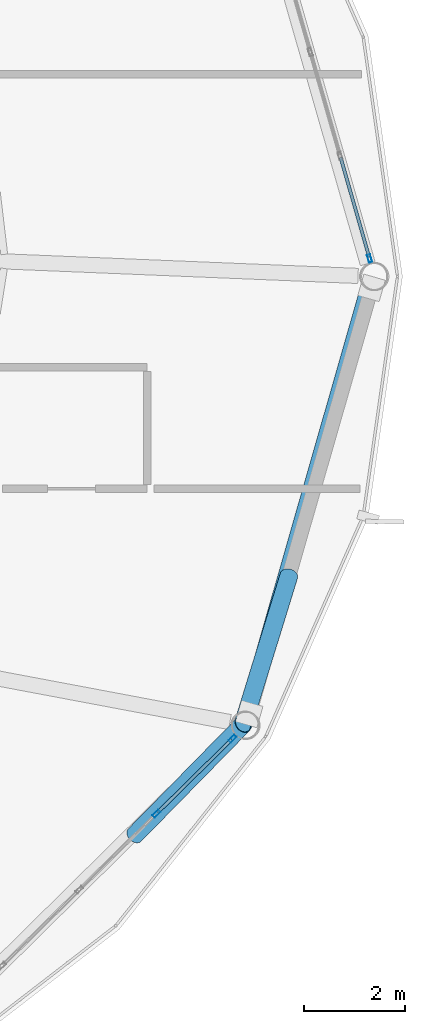
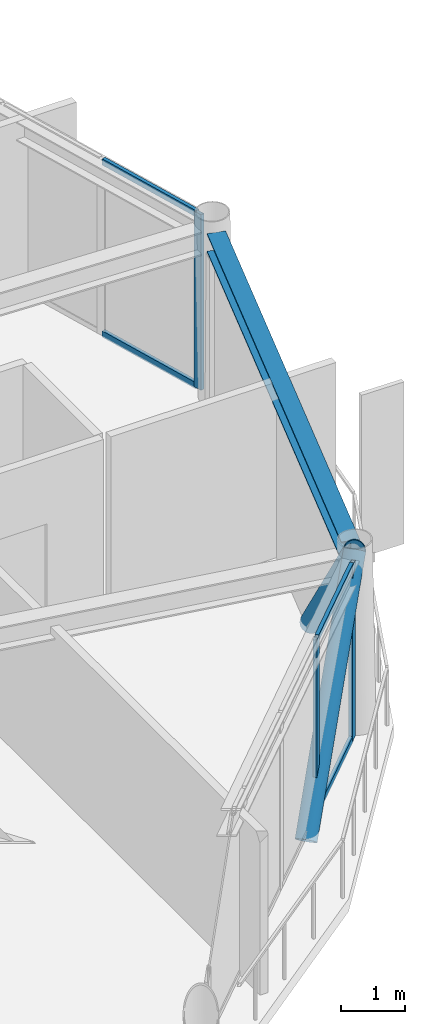
# One storey, part 16 of 26: 9 members, 1 beam, 2 elements without a shape of their own.
"""IFC4 building model written with IfcOpenShell, lengths in metres."""

from ifc_helpers import new_model, si_unit, direction, frame, origin, origin_2d, place, context, subcontext, project, spatial, hollow_rectangle, hollow_circle, i_section, extrude, material, layer, layer_set, material_profile, profile_set, type_object, element, aggregate, save


model = new_model("IFC4")

# Units and contexts
model_context = context("Model", 3, precision=1e-05, world=origin(), true_north=direction((0.0, 1.0)))
body_context = subcontext(model_context, "Body", "Model", "MODEL_VIEW")
ifc_project = project(units=[si_unit("LENGTHUNIT", "METRE"), si_unit("AREAUNIT", "SQUARE_METRE"), si_unit("VOLUMEUNIT", "CUBIC_METRE"), si_unit("PLANEANGLEUNIT", "RADIAN"), si_unit("MASSUNIT", "GRAM", prefix="KILO")], contexts=[model_context])

# Site, building, storey
site_placement = place(None, origin())
site = spatial("IfcSite", under=ifc_project, at=site_placement, CompositionType="ELEMENT")
building_placement = place(site_placement, origin())
building = spatial("IfcBuilding", under=site, at=building_placement, Name="Varnakorn Sky Granary", CompositionType="ELEMENT")
storey_placement = place(building_placement, frame((0.0, 0.0, 267.0)))
storey = spatial("IfcBuildingStorey", under=building, at=storey_placement, Name="L68", CompositionType="ELEMENT", Elevation=267.0)

# Beam
ifc_material_1 = material(Name="Steel S355JR", Category="steel")
ifc_material_profile_1 = material_profile(ifc_material_1, i_section(OverallWidth=0.300048828125, OverallDepth=0.360107421875, WebThickness=0.012451171875, FlangeThickness=0.0224609375, at=origin_2d()), Name="HE 360 B")
ifc_profile_set_1 = profile_set([ifc_material_profile_1], Name="Steel S355JR")
beam_type = type_object("IfcBeamType", Name="BM-SPD-Z5", PredefinedType="SPANDREL", material=ifc_profile_set_1)
beam_placement = place(storey_placement, frame((20.471435546875, -8.61279296875, 3.179931640625), z_axis=(0.275429392242, 0.96132130419, 0.0), x_axis=(-0.96132130419, 0.275429392242, 0.0)))
element("IfcBeam", 1, at=beam_placement, inside=storey, type_object=beam_type, Name="Perimeter Spandrel Ring Beam RB12 L68", PredefinedType="SPANDREL", context=body_context, shape_type="SweptSolid", body=[
    extrude(i_section(OverallWidth=0.300048828125, OverallDepth=0.360107421875, WebThickness=0.012451171875, FlangeThickness=0.0224609375, at=origin_2d()), origin(), (0.0, 0.0, 1.0), 8.694580078125),
])

# Curtain wall, member
ifc_material_2 = material(Name="Anodised Bronze Aluminium Alloy 6063-T6", Category="aluminium")
ifc_layer = layer(ifc_material_2, 0.159912109375, Name="Anodised Bronze Aluminium Alloy 6063-T6")
ifc_layer_set = layer_set([ifc_layer], Name="Anodised Bronze Aluminium Alloy 6063-T6")
curtain_wall_type = type_object("IfcCurtainWallType", Name="CW-OFF-1", PredefinedType="USERDEFINED", material=ifc_layer_set)
curtain_wall_1_placement = place(storey_placement, origin())
curtain_wall_1 = element("IfcCurtainWall", 2, at=curtain_wall_1_placement, inside=storey, type_object=curtain_wall_type, Name="Unitised Curtain Wall CW6 CW-L68-B01", ObjectType="CURTAIN WALL", PredefinedType="USERDEFINED")
ifc_material_profile_2 = material_profile(ifc_material_2, hollow_rectangle(XDim=0.06494140625, YDim=0.159912109375, WallThickness=0.00341796875, at=origin_2d()), Name="ALU MULL 65x160")
ifc_profile_set_2 = profile_set([ifc_material_profile_2], Name="Anodised Bronze Aluminium Alloy 6063-T6")
member_type_1 = type_object("IfcMemberType", Name="CW-OFF-1-MULL", PredefinedType="MULLION", material=ifc_profile_set_2)
member_1_placement = place(storey_placement, frame((22.9033203125, 0.357421875, 0.0), z_axis=(0.0, 0.0, 1.0), x_axis=(0.961203382368, 0.275840638274, 0.0)))
member_1 = element("IfcMember", 3, at=member_1_placement, type_object=member_type_1, Name="CW6 mullion 5", PredefinedType="MULLION", context=body_context, shape_type="SweptSolid", body=[
    extrude(hollow_rectangle(XDim=0.06494140625, YDim=0.159912109375, WallThickness=0.00341796875, at=origin_2d()), origin(), (0.0, 0.0, 1.0), 3.360107421875),
])

# Curtain wall, members
curtain_wall_2_placement = place(storey_placement, origin())
curtain_wall_2 = element("IfcCurtainWall", 4, at=curtain_wall_2_placement, inside=storey, type_object=curtain_wall_type, Name="Unitised Curtain Wall CW6 CW-L68-B11", ObjectType="CURTAIN WALL", PredefinedType="USERDEFINED")
member_2_placement = place(storey_placement, frame((20.191650390625, -9.145263671875, 0.0), z_axis=(0.0, 0.0, 1.0), x_axis=(0.702091405728, -0.71208683319, 0.0)))
member_2 = element("IfcMember", 5, at=member_2_placement, type_object=member_type_1, Name="CW6 mullion 1", PredefinedType="MULLION", context=body_context, shape_type="SweptSolid", body=[
    extrude(hollow_rectangle(XDim=0.06494140625, YDim=0.159912109375, WallThickness=0.00341796875, at=origin_2d()), origin(), (0.0, 0.0, 1.0), 3.360107421875),
])
member_3_placement = place(storey_placement, frame((18.686767578125, -10.629150390625, 0.0), z_axis=(0.0, 0.0, 1.0), x_axis=(0.702091405728, -0.71208683319, 0.0)))
member_3 = element("IfcMember", 6, at=member_3_placement, type_object=member_type_1, Name="CW6 mullion 2", PredefinedType="MULLION", context=body_context, shape_type="SweptSolid", body=[
    extrude(hollow_rectangle(XDim=0.06494140625, YDim=0.159912109375, WallThickness=0.00341796875, at=origin_2d()), origin(), (0.0, 0.0, 1.0), 3.360107421875),
])

# Member
ifc_material_profile_3 = material_profile(ifc_material_2, hollow_rectangle(XDim=0.06494140625, YDim=0.1201171875, WallThickness=0.00341796875, at=origin_2d()), Name="ALU TRAN 65x120")
ifc_profile_set_3 = profile_set([ifc_material_profile_3], Name="Anodised Bronze Aluminium Alloy 6063-T6")
member_type_2 = type_object("IfcMemberType", Name="CW-OFF-1-TRAN", PredefinedType="USERDEFINED", material=ifc_profile_set_3)
member_4_placement = place(storey_placement, frame((22.330810546875, 2.35302734375, 0.032470703125), z_axis=(0.275841193395, -0.961203223063, 0.0), x_axis=(0.961203223063, 0.275841193395, 0.0)))
member_4 = element("IfcMember", 7, at=member_4_placement, type_object=member_type_2, Name="CW6 transom 4.1", ObjectType="TRANSOM", PredefinedType="USERDEFINED", context=body_context, shape_type="SweptSolid", body=[
    extrude(hollow_rectangle(XDim=0.06494140625, YDim=0.1201171875, WallThickness=0.00341796875, at=origin_2d()), origin(), (0.0, 0.0, 1.0), 2.043701171875),
])

member_5_placement = place(storey_placement, frame((22.330810546875, 2.35302734375, 3.327392578125), z_axis=(0.275841193395, -0.961203223063, 0.0), x_axis=(0.961203223063, 0.275841193395, 0.0)))
member_5 = element("IfcMember", 8, at=member_5_placement, type_object=member_type_2, Name="CW6 transom 4.2", ObjectType="TRANSOM", PredefinedType="USERDEFINED", context=body_context, shape_type="SweptSolid", body=[
    extrude(hollow_rectangle(XDim=0.06494140625, YDim=0.1201171875, WallThickness=0.00341796875, at=origin_2d()), origin(), (0.0, 0.0, 1.0), 2.043701171875),
])

aggregate(curtain_wall_1, [member_1, member_4, member_5])

member_6_placement = place(storey_placement, frame((20.16845703125, -9.16796875, 0.032470703125), z_axis=(-0.712094582658, -0.702083545847, 0.0), x_axis=(0.702083545847, -0.712094582658, 0.0)))
member_6 = element("IfcMember", 9, at=member_6_placement, type_object=member_type_2, Name="CW6 transom 1.1", ObjectType="TRANSOM", PredefinedType="USERDEFINED", context=body_context, shape_type="SweptSolid", body=[
    extrude(hollow_rectangle(XDim=0.06494140625, YDim=0.1201171875, WallThickness=0.00341796875, at=origin_2d()), origin(), (0.0, 0.0, 1.0), 2.048583984375),
])

member_7_placement = place(storey_placement, frame((20.16845703125, -9.16796875, 3.327392578125), z_axis=(-0.712094582658, -0.702083545847, 0.0), x_axis=(0.702083545847, -0.712094582658, 0.0)))
member_7 = element("IfcMember", 10, at=member_7_placement, type_object=member_type_2, Name="CW6 transom 1.2", ObjectType="TRANSOM", PredefinedType="USERDEFINED", context=body_context, shape_type="SweptSolid", body=[
    extrude(hollow_rectangle(XDim=0.06494140625, YDim=0.1201171875, WallThickness=0.00341796875, at=origin_2d()), origin(), (0.0, 0.0, 1.0), 2.048583984375),
])

aggregate(curtain_wall_2, [member_2, member_3, member_6, member_7])

# Members
ifc_material_3 = material(Name="Steel S460M", Category="steel")
ifc_material_profile_4 = material_profile(ifc_material_3, hollow_circle(Radius=0.177734375, WallThickness=0.01416015625, at=origin_2d()), Name="CHS 355.6x14")
ifc_profile_set_4 = profile_set([ifc_material_profile_4], Name="Steel S460M")
member_type_3 = type_object("IfcMemberType", Name="MB-DIAG-T5", PredefinedType="BRACE", material=ifc_profile_set_4)
member_8_placement = place(storey_placement, frame((18.2578125, -11.0517578125, -0.1298828125), z_axis=(0.461317436756, 0.470786833337, 0.752027911783), x_axis=(-0.714253534659, 0.699887053908, 0.0)))
element("IfcMember", 11, at=member_8_placement, inside=storey, type_object=member_type_3, Name="Perimeter CHS Diagrid Brace DG11 L68", PredefinedType="BRACE", context=body_context, shape_type="SweptSolid", body=[
    extrude(hollow_circle(Radius=0.177734375, WallThickness=0.01416015625, at=origin_2d()), origin(), (0.0, 0.0, 1.0), 4.640869140625),
])
member_9_placement = place(storey_placement, frame((21.306396484375, -5.922607421875, -0.1298828125), z_axis=(-0.19497952064, -0.632451054038, 0.749659023008), x_axis=(0.955617818258, -0.294609207984, 0.0)))
element("IfcMember", 12, at=member_9_placement, inside=storey, type_object=member_type_3, Name="Perimeter CHS Diagrid Brace DG12 L68", PredefinedType="BRACE", context=body_context, shape_type="SweptSolid", body=[
    extrude(hollow_circle(Radius=0.177734375, WallThickness=0.01416015625, at=origin_2d()), origin(), (0.0, 0.0, 1.0), 4.655517578125),
])

save(model, "model.ifc")
